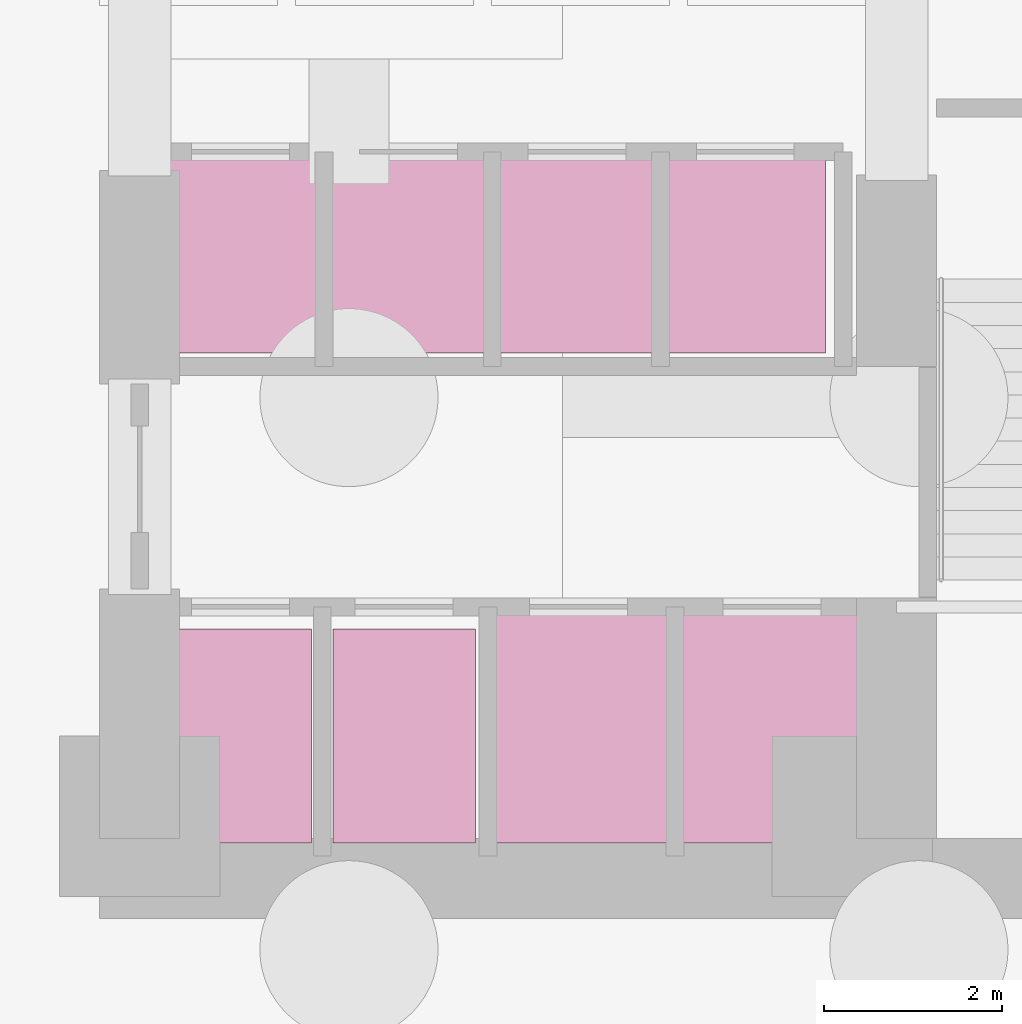
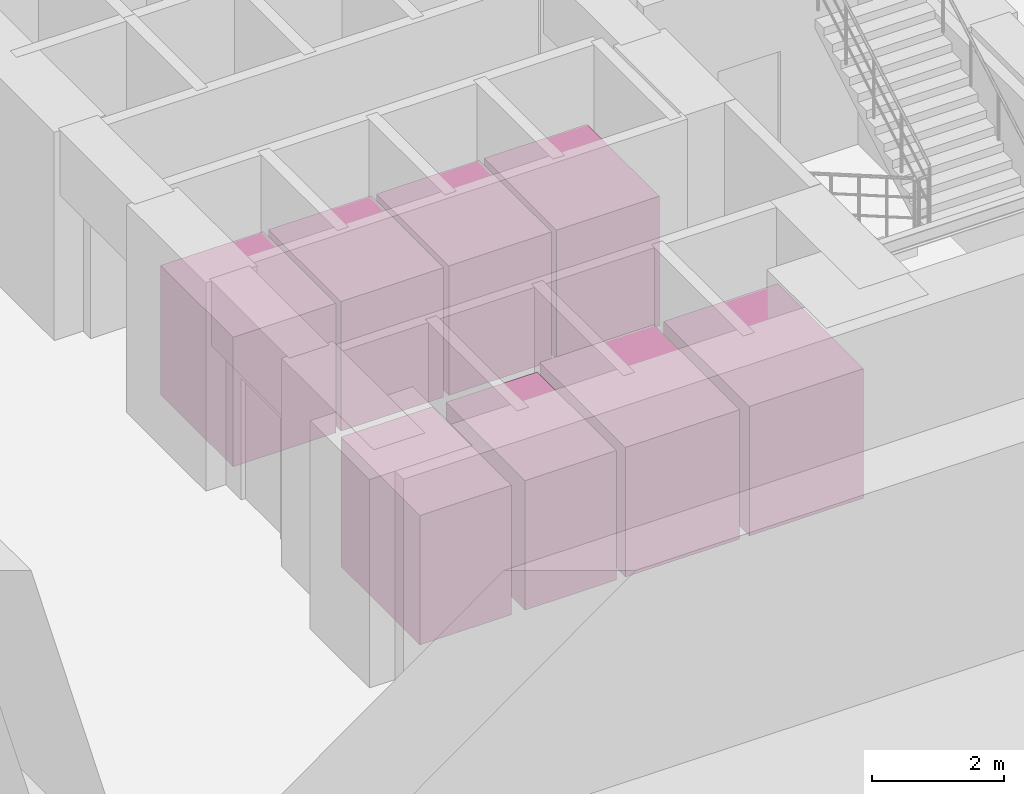
# One storey, part 6 of 6: 8 transport elements.
"""IFC4 building model written with IfcOpenShell, lengths in metres."""

from ifc_helpers import new_model, si_unit, direction, frame, origin, origin_2d, place, context, subcontext, project, spatial, rectangle, extrude, material, type_object, element, save


model = new_model("IFC4")

# Units and contexts
model_context = context("Model", 3, precision=1e-05, world=origin(), true_north=direction((0.0, 1.0)))
body_context = subcontext(model_context, "Body", "Model", "MODEL_VIEW")
ifc_project = project(units=[si_unit("LENGTHUNIT", "METRE"), si_unit("AREAUNIT", "SQUARE_METRE"), si_unit("VOLUMEUNIT", "CUBIC_METRE"), si_unit("PLANEANGLEUNIT", "RADIAN"), si_unit("MASSUNIT", "GRAM", prefix="KILO")], contexts=[model_context])

# Site, building, storey
site_placement = place(None, origin())
site = spatial("IfcSite", under=ifc_project, at=site_placement, CompositionType="ELEMENT")
building_placement = place(site_placement, origin())
building = spatial("IfcBuilding", under=site, at=building_placement, Name="Kolvaren Waterfront Exchange", CompositionType="ELEMENT")
storey_placement = place(building_placement, frame((0.0, 0.0, -8.39990234375)))
storey = spatial("IfcBuildingStorey", under=building, at=storey_placement, Name="B02", CompositionType="ELEMENT", Elevation=-8.39990234375)

# Transport elements
ifc_material = material(Name="Stainless steel 316", Category="steel")
transport_element_type_1 = type_object("IfcTransportElementType", Name="ARC-LIFT-FF", PredefinedType="ELEVATOR", material=ifc_material)
for number, where, z_axis, x_axis, name in (
    (1, (8.580078125, 5.800048828125, 0.0), (0.0, 0.0, 1.0), (1.0, 0.0, 0.0), "Elevator FFL1 (Firefighting)"),
    (2, (10.419921875, 5.800048828125, 0.0), (0.0, 0.0, 1.0), (1.0, 0.0, 0.0), "Elevator FFL2 (Firefighting)"),
):
    element("IfcTransportElement", number, at=place(storey_placement, frame(where, z_axis=z_axis, x_axis=x_axis)), inside=storey, type_object=transport_element_type_1, Name=name, PredefinedType="ELEVATOR", context=body_context, shape_type="SweptSolid", body=[
        extrude(rectangle(XDim=1.60009765625, YDim=2.39990234375, at=origin_2d()), origin(), (0.0, 0.0, 1.0), 2.39990234375),
    ])
transport_element_type_2 = type_object("IfcTransportElementType", Name="ARC-LIFT-GD", PredefinedType="ELEVATOR", material=ifc_material)
for number, where, z_axis, x_axis, name in (
    (3, (12.3798828125, 5.89990234375, 0.0), (0.0, 0.0, 1.0), (1.0, 0.0, 0.0), "Elevator GL1 (Goods)"),
    (4, (14.550048828125, 5.89990234375, 0.0), (0.0, 0.0, 1.0), (1.0, 0.0, 0.0), "Elevator GL2 (Goods)"),
):
    element("IfcTransportElement", number, at=place(storey_placement, frame(where, z_axis=z_axis, x_axis=x_axis)), inside=storey, type_object=transport_element_type_2, Name=name, PredefinedType="ELEVATOR", context=body_context, shape_type="SweptSolid", body=[
        extrude(rectangle(XDim=2.0, YDim=2.60009765625, at=origin_2d()), origin(), (0.0, 0.0, 1.0), 2.39990234375),
    ])
transport_element_type_3 = type_object("IfcTransportElementType", Name="ARC-LIFT-PL", PredefinedType="ELEVATOR", material=ifc_material)
for number, where, z_axis, x_axis, name in (
    (5, (8.580078125, 11.199951171875, 0.0), (0.0, 0.0, 1.0), (1.0, 0.0, 0.0), "Elevator PL1 (Low-Rise)"),
    (6, (10.469970703125, 11.199951171875, 0.0), (0.0, 0.0, 1.0), (1.0, 0.0, 0.0), "Elevator PL2 (Low-Rise)"),
    (7, (12.360107421875, 11.199951171875, 0.0), (0.0, 0.0, 1.0), (1.0, 0.0, 0.0), "Elevator PL3 (Low-Rise)"),
    (8, (14.25, 11.199951171875, 0.0), (0.0, 0.0, 1.0), (1.0, 0.0, 0.0), "Elevator PL4 (Low-Rise)"),
):
    element("IfcTransportElement", number, at=place(storey_placement, frame(where, z_axis=z_axis, x_axis=x_axis)), inside=storey, type_object=transport_element_type_3, Name=name, PredefinedType="ELEVATOR", context=body_context, shape_type="SweptSolid", body=[
        extrude(rectangle(XDim=1.800048828125, YDim=2.199951171875, at=origin_2d()), origin(), (0.0, 0.0, 1.0), 2.39990234375),
    ])

save(model, "model.ifc")
